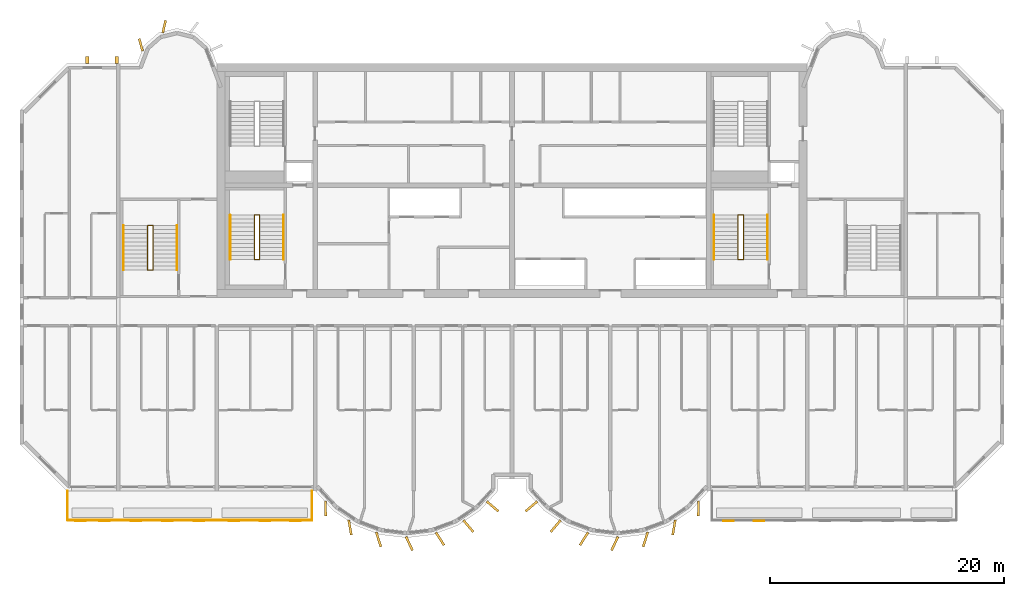
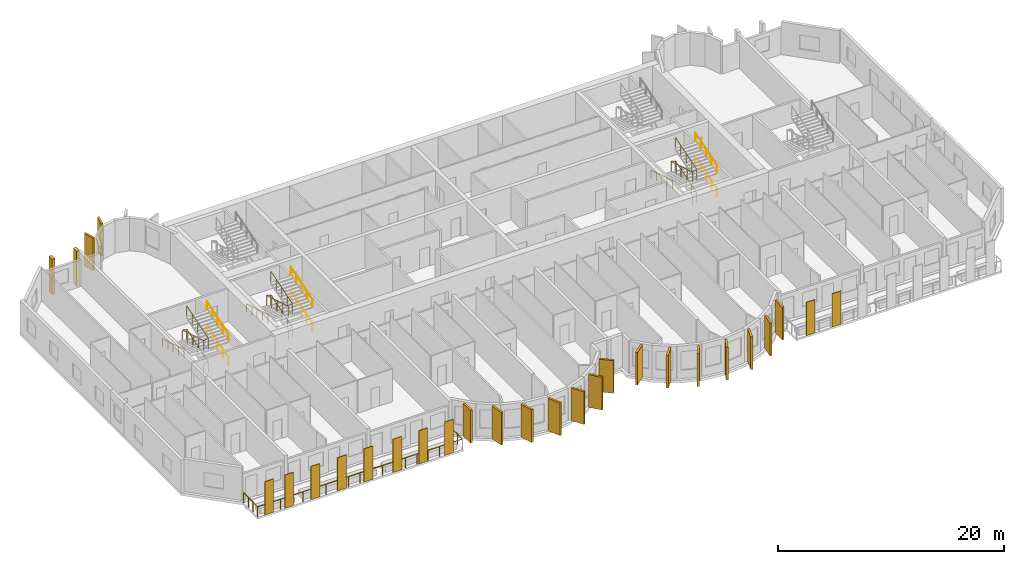
# One storey, part 11 of 13: 28 coverings, 13 railings.
"""IFC4 building model written with IfcOpenShell, lengths in metres."""

from ifc_helpers import new_model, si_unit, direction, frame, origin, origin_2d, place, context, subcontext, project, spatial, rectangle, circle, extrude, source, transform, mapped, material, layer, layer_set, material_profile, profile_set, type_object, element, save


model = new_model("IFC4")

# Units and contexts
model_context = context("Model", 3, precision=1e-05, world=origin(), true_north=direction((0.0, 1.0)))
body_context = subcontext(model_context, "Body", "Model", "MODEL_VIEW")
ifc_project = project(units=[si_unit("LENGTHUNIT", "METRE"), si_unit("AREAUNIT", "SQUARE_METRE"), si_unit("VOLUMEUNIT", "CUBIC_METRE"), si_unit("PLANEANGLEUNIT", "RADIAN"), si_unit("MASSUNIT", "GRAM", prefix="KILO")], contexts=[model_context])

# Site, building, storey
site_placement = place(None, origin())
site = spatial("IfcSite", under=ifc_project, at=site_placement, CompositionType="ELEMENT")
building_placement = place(site_placement, origin())
building = spatial("IfcBuilding", under=site, at=building_placement, Name="Vanashikhar Sky Hotel", CompositionType="ELEMENT")
storey_placement = place(building_placement, frame((0.0, 0.0, 178.199951171875)))
storey = spatial("IfcBuildingStorey", under=building, at=storey_placement, Name="L43", CompositionType="ELEMENT", Elevation=178.199951171875)

# Coverings
ifc_material_1 = material(Name="Terracotta", Category="masonry")
ifc_layer = layer(ifc_material_1, 0.06005859375)
ifc_layer_set = layer_set([ifc_layer], Name="Terracotta baguette screen")
covering_type_1 = type_object("IfcCoveringType", Name="Terracotta baguette screen", PredefinedType="CLADDING", material=ifc_layer_set)
shared_shape_1 = source(origin(), body_context, "Body", "SweptSolid", [
    extrude(rectangle(XDim=0.89990234375, YDim=0.06005859375, at=origin_2d()), origin(), (0.0, 0.0, 1.0), 3.60009765625),
])
for number, where, z_axis, x_axis, name in (
    (1, (13.574951171875, 2.929931640625, -0.050048828125), (0.0, 0.0, 1.0), (1.0, 0.0, 0.0), "Terracotta screen"),
    (2, (15.625, 2.929931640625, -0.050048828125), (0.0, 0.0, 1.0), (1.0, 0.0, 0.0), "Terracotta screen"),
    (3, (18.300048828125, 2.929931640625, -0.050048828125), (0.0, 0.0, 1.0), (1.0, 0.0, 0.0), "Terracotta screen"),
    (4, (21.0, 2.929931640625, -0.050048828125), (0.0, 0.0, 1.0), (1.0, 0.0, 0.0), "Terracotta screen"),
    (5, (23.699951171875, 2.929931640625, -0.050048828125), (0.0, 0.0, 1.0), (1.0, 0.0, 0.0), "Terracotta screen"),
    (6, (26.666748046875, 2.929931640625, -0.050048828125), (0.0, 0.0, 1.0), (1.0, 0.0, 0.0), "Terracotta screen"),
    (7, (29.300048828125, 2.929931640625, -0.050048828125), (0.0, 0.0, 1.0), (1.0, 0.0, 0.0), "Terracotta screen"),
    (8, (31.933349609375, 2.929931640625, -0.050048828125), (0.0, 0.0, 1.0), (1.0, 0.0, 0.0), "Terracotta screen"),
    (9, (68.86669921875, 2.929931640625, -0.050048828125), (0.0, 0.0, 1.0), (1.0, 0.0, 0.0), "Terracotta screen"),
    (10, (71.5, 2.929931640625, -0.050048828125), (0.0, 0.0, 1.0), (1.0, 0.0, 0.0), "Terracotta screen"),
):
    element("IfcCovering", number, at=place(storey_placement, frame(where, z_axis=z_axis, x_axis=x_axis)), inside=storey, type_object=covering_type_1, Name=name, PredefinedType="CLADDING", context=body_context, shape_type="MappedRepresentation", body=[
        mapped(shared_shape_1, transform((0.0, 0.0, 0.0), scale=1.0)),
    ])
ifc_material_2 = material(Name="Concrete M60 dark", Category="concrete")
ifc_material_profile_1 = material_profile(ifc_material_2, rectangle(XDim=1.300048828125, YDim=0.199951171875, at=origin_2d()))
ifc_profile_set_1 = profile_set([ifc_material_profile_1], Name="Fin 1300 x 200")
covering_type_2 = type_object("IfcCoveringType", Name="Fin 1300 x 200", PredefinedType="CLADDING", material=ifc_profile_set_1)
shared_shape_2 = source(origin(), body_context, "Body", "SweptSolid", [
    extrude(rectangle(XDim=1.300048828125, YDim=0.199951171875, at=origin_2d()), origin(), (0.0, 0.0, 1.0), 3.52001953125),
])
for number, where, z_axis, x_axis, name in (
    (11, (34.482421875, 3.992919921875, 0.0), (0.0, 0.0, 1.0), (0.011588726826, -0.999932848451, 0.0), "Fin F1-1"),
    (12, (36.572509765625, 2.3779296875, 0.0), (0.0, 0.0, 1.0), (0.16989991575, -0.985461322746, 0.0), "Fin F1-2"),
    (13, (39.00830078125, 1.35693359375, 0.0), (0.0, 0.0, 1.0), (0.303966551867, -0.952682704444, 0.0), "Fin F1-3"),
    (14, (41.63232421875, 1.00146484375, 0.0), (0.0, 0.0, 1.0), (0.422618261741, -0.906307787037, 0.0), "Fin F1-4"),
    (15, (44.251953125, 1.416015625, 0.0), (0.0, 0.0, 1.0), (0.534411358496, -0.845224526331, 0.0), "Fin F1-5"),
    (16, (46.676025390625, 2.5, 0.0), (0.0, 0.0, 1.0), (0.645697609467, -0.763593214433, 0.0), "Fin F1-6"),
    (17, (48.7412109375, 4.1845703125, 0.0), (0.0, 0.0, 1.0), (0.758543912032, -0.65162192529, 0.0), "Fin F1-7"),
    (18, (52.058837890625, 4.1845703125, 0.0), (0.0, 0.0, 1.0), (-0.758543912032, -0.65162192529, 0.0), "Fin F2-1"),
    (19, (54.123779296875, 2.5, 0.0), (0.0, 0.0, 1.0), (-0.645697609467, -0.763593214433, 0.0), "Fin F2-2"),
    (20, (56.547119140625, 1.416015625, 0.0), (0.0, 0.0, 1.0), (-0.534411358496, -0.845224526331, 0.0), "Fin F2-3"),
    (21, (59.16748046875, 1.00146484375, 0.0), (0.0, 0.0, 1.0), (-0.422618261741, -0.906307787037, 0.0), "Fin F2-4"),
    (22, (61.790771484375, 1.35693359375, 0.0), (0.0, 0.0, 1.0), (-0.303966551867, -0.952682704444, 0.0), "Fin F2-5"),
    (23, (64.2275390625, 2.3779296875, 0.0), (0.0, 0.0, 1.0), (-0.16989991575, -0.985461322746, 0.0), "Fin F2-6"),
    (24, (66.317626953125, 3.992919921875, 0.0), (0.0, 0.0, 1.0), (-0.011588726826, -0.999932848451, 0.0), "Fin F2-7"),
):
    element("IfcCovering", number, at=place(storey_placement, frame(where, z_axis=z_axis, x_axis=x_axis)), inside=storey, type_object=covering_type_2, Name=name, PredefinedType="CLADDING", context=body_context, shape_type="MappedRepresentation", body=[
        mapped(shared_shape_2, transform((0.0, 0.0, 0.0), scale=1.0)),
    ])
ifc_material_profile_2 = material_profile(ifc_material_2, rectangle(XDim=1.10009765625, YDim=0.199951171875, at=origin_2d()))
ifc_profile_set_2 = profile_set([ifc_material_profile_2], Name="Rear lobe fin 1100 x 200")
covering_type_3 = type_object("IfcCoveringType", Name="Rear lobe fin 1100 x 200", PredefinedType="CLADDING", material=ifc_profile_set_2)
shared_shape_3 = source(origin(), body_context, "Body", "SweptSolid", [
    extrude(rectangle(XDim=1.10009765625, YDim=0.199951171875, at=origin_2d()), origin(), (0.0, 0.0, 1.0), 3.52001953125),
])
for number, where, z_axis, x_axis, name in (
    (25, (18.720703125, 43.580078125, 0.0), (0.0, 0.0, 1.0), (-0.262711264409, 0.964874495234, 0.0), "Fin R1-1"),
    (26, (20.710205078125, 45.1455078125, 0.0), (0.0, 0.0, 1.0), (0.224644935864, 0.974440687159, 0.0), "Fin R1-2"),
):
    element("IfcCovering", number, at=place(storey_placement, frame(where, z_axis=z_axis, x_axis=x_axis)), inside=storey, type_object=covering_type_3, Name=name, PredefinedType="CLADDING", context=body_context, shape_type="MappedRepresentation", body=[
        mapped(shared_shape_3, transform((0.0, 0.0, 0.0), scale=1.0)),
    ])

# Railing
ifc_material_3 = material(Name="Stainless steel 316", Category="steel")
railing_type_1 = type_object("IfcRailingType", Name="Balcony guard 1100", PredefinedType="GUARDRAIL", material=ifc_material_3)
shared_shape_4 = source(origin(), body_context, "Body", "SweptSolid", [
    extrude(circle(Radius=0.02392578125, at=origin_2d()), frame((0.0, 0.0, 1.076171875), z_axis=(0.0, -1.0, 0.0), x_axis=(1.0, 0.0, 0.0)), (0.0, 0.0, 1.0), 2.5),
    extrude(circle(Radius=0.02392578125, at=origin_2d()), frame((0.0, -2.5, 1.076171875), z_axis=(1.0, 0.0, 0.0), x_axis=(0.0, 1.0, 0.0)), (0.0, 0.0, 1.0), 20.880126953125),
    extrude(circle(Radius=0.02392578125, at=origin_2d()), frame((20.880126953125, -2.5, 1.076171875), z_axis=(0.0, 1.0, 0.0), x_axis=(-1.0, 0.0, 0.0)), (0.0, 0.0, 1.0), 2.5),
    extrude(circle(Radius=0.02099609375, at=origin_2d()), origin(), (0.0, 0.0, 1.0), 1.052001953125),
    extrude(circle(Radius=0.02099609375, at=origin_2d()), frame((0.0, -0.833251953125, 0.0)), (0.0, 0.0, 1.0), 1.052001953125),
    extrude(circle(Radius=0.02099609375, at=origin_2d()), frame((0.0, -1.666748046875, 0.0)), (0.0, 0.0, 1.0), 1.052001953125),
    extrude(circle(Radius=0.02099609375, at=origin_2d()), frame((0.0, -2.5, 0.0)), (0.0, 0.0, 1.0), 1.052001953125),
    extrude(circle(Radius=0.02099609375, at=origin_2d()), frame((1.159912109375, -2.5, 0.0)), (0.0, 0.0, 1.0), 1.052001953125),
    extrude(circle(Radius=0.02099609375, at=origin_2d()), frame((2.320068359375, -2.5, 0.0)), (0.0, 0.0, 1.0), 1.052001953125),
    extrude(circle(Radius=0.02099609375, at=origin_2d()), frame((3.47998046875, -2.5, 0.0)), (0.0, 0.0, 1.0), 1.052001953125),
    extrude(circle(Radius=0.02099609375, at=origin_2d()), frame((4.64013671875, -2.5, 0.0)), (0.0, 0.0, 1.0), 1.052001953125),
    extrude(circle(Radius=0.02099609375, at=origin_2d()), frame((5.800048828125, -2.5, 0.0)), (0.0, 0.0, 1.0), 1.052001953125),
    extrude(circle(Radius=0.02099609375, at=origin_2d()), frame((6.9599609375, -2.5, 0.0)), (0.0, 0.0, 1.0), 1.052001953125),
    extrude(circle(Radius=0.02099609375, at=origin_2d()), frame((8.1201171875, -2.5, 0.0)), (0.0, 0.0, 1.0), 1.052001953125),
    extrude(circle(Radius=0.02099609375, at=origin_2d()), frame((9.280029296875, -2.5, 0.0)), (0.0, 0.0, 1.0), 1.052001953125),
    extrude(circle(Radius=0.02099609375, at=origin_2d()), frame((10.43994140625, -2.5, 0.0)), (0.0, 0.0, 1.0), 1.052001953125),
    extrude(circle(Radius=0.02099609375, at=origin_2d()), frame((11.60009765625, -2.5, 0.0)), (0.0, 0.0, 1.0), 1.052001953125),
    extrude(circle(Radius=0.02099609375, at=origin_2d()), frame((12.760009765625, -2.5, 0.0)), (0.0, 0.0, 1.0), 1.052001953125),
    extrude(circle(Radius=0.02099609375, at=origin_2d()), frame((13.920166015625, -2.5, 0.0)), (0.0, 0.0, 1.0), 1.052001953125),
    extrude(circle(Radius=0.02099609375, at=origin_2d()), frame((15.080078125, -2.5, 0.0)), (0.0, 0.0, 1.0), 1.052001953125),
    extrude(circle(Radius=0.02099609375, at=origin_2d()), frame((16.239990234375, -2.5, 0.0)), (0.0, 0.0, 1.0), 1.052001953125),
    extrude(circle(Radius=0.02099609375, at=origin_2d()), frame((17.400146484375, -2.5, 0.0)), (0.0, 0.0, 1.0), 1.052001953125),
    extrude(circle(Radius=0.02099609375, at=origin_2d()), frame((18.56005859375, -2.5, 0.0)), (0.0, 0.0, 1.0), 1.052001953125),
    extrude(circle(Radius=0.02099609375, at=origin_2d()), frame((19.72021484375, -2.5, 0.0)), (0.0, 0.0, 1.0), 1.052001953125),
    extrude(circle(Radius=0.02099609375, at=origin_2d()), frame((20.880126953125, -2.5, 0.0)), (0.0, 0.0, 1.0), 1.052001953125),
    extrude(circle(Radius=0.02099609375, at=origin_2d()), frame((20.880126953125, -1.666748046875, 0.0)), (0.0, 0.0, 1.0), 1.052001953125),
    extrude(circle(Radius=0.02099609375, at=origin_2d()), frame((20.880126953125, -0.833251953125, 0.0)), (0.0, 0.0, 1.0), 1.052001953125),
    extrude(circle(Radius=0.02099609375, at=origin_2d()), frame((20.880126953125, 0.0, 0.0)), (0.0, 0.0, 1.0), 1.052001953125),
])
railing_1_placement = place(storey_placement, frame((12.4599609375, 5.5, -0.050048828125)))
element("IfcRailing", 27, at=railing_1_placement, inside=storey, type_object=railing_type_1, Name="Balcony guard", PredefinedType="GUARDRAIL", context=body_context, shape_type="MappedRepresentation", body=[
    mapped(shared_shape_4, transform((0.0, 0.0, 0.0), scale=1.0)),
])

# Coverings
ifc_material_profile_3 = material_profile(ifc_material_2, rectangle(XDim=0.60009765625, YDim=0.300048828125, at=origin_2d()))
ifc_profile_set_3 = profile_set([ifc_material_profile_3], Name="Rear rib 600 x 300")
covering_type_4 = type_object("IfcCoveringType", Name="Rear rib 600 x 300", PredefinedType="CLADDING", material=ifc_profile_set_3)
shared_shape_5 = source(origin(), body_context, "Body", "SweptSolid", [
    extrude(rectangle(XDim=0.60009765625, YDim=0.300048828125, at=origin_2d()), origin(), (0.0, 0.0, 1.0), 3.800048828125),
])
for number, where, z_axis, x_axis, name in (
    (28, (14.14990234375, 42.300048828125, -0.280029296875), (0.0, 0.0, 1.0), (0.0, 1.0, 0.0), "Rear rib"),
    (29, (16.64990234375, 42.300048828125, -0.280029296875), (0.0, 0.0, 1.0), (0.0, 1.0, 0.0), "Rear rib"),
):
    element("IfcCovering", number, at=place(storey_placement, frame(where, z_axis=z_axis, x_axis=x_axis)), inside=storey, type_object=covering_type_4, Name=name, PredefinedType="CLADDING", context=body_context, shape_type="MappedRepresentation", body=[
        mapped(shared_shape_5, transform((0.0, 0.0, 0.0), scale=1.0)),
    ])

# Railings
ifc_material_4 = material(Name="Steel S355", Category="steel")
railing_type_2 = type_object("IfcRailingType", Name="Stair handrail 900", PredefinedType="HANDRAIL", material=ifc_material_4)
shared_shape_6 = source(origin(), body_context, "Body", "SweptSolid", [
    extrude(circle(Radius=0.02392578125, at=origin_2d()), frame((0.0, 0.0, 0.8759765625), z_axis=(0.0, 0.95635109408, 0.292220096591), x_axis=(-1.0, 0.0, 0.0)), (0.0, 0.0, 1.0), 3.973388671875),
    extrude(circle(Radius=0.02099609375, at=origin_2d()), origin(), (0.0, 0.0, 1.0), 0.851806640625),
    extrude(circle(Radius=0.02099609375, at=origin_2d()), frame((0.0, 0.949951171875, 0.290283203125)), (0.0, 0.0, 1.0), 0.851806640625),
    extrude(circle(Radius=0.02099609375, at=origin_2d()), frame((0.0, 1.89990234375, 0.58056640625)), (0.0, 0.0, 1.0), 0.851806640625),
    extrude(circle(Radius=0.02099609375, at=origin_2d()), frame((0.0, 2.85009765625, 0.870849609375)), (0.0, 0.0, 1.0), 0.851806640625),
    extrude(circle(Radius=0.02099609375, at=origin_2d()), frame((0.0, 3.800048828125, 1.1611328125)), (0.0, 0.0, 1.0), 0.851806640625),
])
for number, where, name in (
    (30, (30.89990234375, 25.25, 2.638916015625), "Exit stair 1 handrail"),
    (31, (72.199951171875, 25.25, 2.638916015625), "Exit stair 2 handrail"),
):
    element("IfcRailing", number, at=place(storey_placement, frame(where)), inside=storey, type_object=railing_type_2, Name=name, PredefinedType="HANDRAIL", context=body_context, shape_type="MappedRepresentation", body=[
        mapped(shared_shape_6, transform((0.0, 0.0, 0.0), scale=1.0)),
    ])
shared_shape_7 = source(origin(), body_context, "Body", "SweptSolid", [
    extrude(circle(Radius=0.02392578125, at=origin_2d()), frame((0.0, 0.0, 0.8759765625), z_axis=(0.0, -0.95635109408, 0.292220096591), x_axis=(1.0, 0.0, 0.0)), (0.0, 0.0, 1.0), 3.973388671875),
    extrude(circle(Radius=0.02099609375, at=origin_2d()), origin(), (0.0, 0.0, 1.0), 0.851806640625),
    extrude(circle(Radius=0.02099609375, at=origin_2d()), frame((0.0, -0.949951171875, 0.290283203125)), (0.0, 0.0, 1.0), 0.851806640625),
    extrude(circle(Radius=0.02099609375, at=origin_2d()), frame((0.0, -1.89990234375, 0.58056640625)), (0.0, 0.0, 1.0), 0.851806640625),
    extrude(circle(Radius=0.02099609375, at=origin_2d()), frame((0.0, -2.85009765625, 0.870849609375)), (0.0, 0.0, 1.0), 0.851806640625),
    extrude(circle(Radius=0.02099609375, at=origin_2d()), frame((0.0, -3.800048828125, 1.1611328125)), (0.0, 0.0, 1.0), 0.851806640625),
])
for number, where, name in (
    (32, (26.35009765625, 29.050048828125, 1.372314453125), "Exit stair 1 handrail"),
    (33, (67.64990234375, 29.050048828125, 1.372314453125), "Exit stair 2 handrail"),
):
    element("IfcRailing", number, at=place(storey_placement, frame(where)), inside=storey, type_object=railing_type_2, Name=name, PredefinedType="HANDRAIL", context=body_context, shape_type="MappedRepresentation", body=[
        mapped(shared_shape_7, transform((0.0, 0.0, 0.0), scale=1.0)),
    ])
railing_type_3 = type_object("IfcRailingType", Name="Stair guard 1100", PredefinedType="GUARDRAIL", material=ifc_material_4)
shared_shape_8 = source(origin(), body_context, "Body", "SweptSolid", [
    extrude(circle(Radius=0.02392578125, at=origin_2d()), frame((0.0, 0.0, 1.076171875), z_axis=(0.973520925263, 0.0, 0.228597917917), x_axis=(0.0, 1.0, 0.0)), (0.0, 0.0, 1.0), 0.46240234375),
    extrude(circle(Radius=0.02392578125, at=origin_2d()), frame((0.4501953125, 0.0, 1.181640625), z_axis=(0.0, 0.956368263741, 0.292163899395), x_axis=(-1.0, 0.0, 0.0)), (0.0, 0.0, 1.0), 3.973388671875),
    extrude(circle(Radius=0.02392578125, at=origin_2d()), frame((0.4501953125, 3.800048828125, 2.3427734375), z_axis=(-0.973520925263, 0.0, 0.228597917917), x_axis=(0.0, -1.0, 0.0)), (0.0, 0.0, 1.0), 0.46240234375),
    extrude(circle(Radius=0.02392578125, at=origin_2d()), frame((0.0, 3.800048828125, 2.4482421875), z_axis=(0.0, -0.95635109408, 0.292220096591), x_axis=(1.0, 0.0, 0.0)), (0.0, 0.0, 1.0), 3.973388671875),
    extrude(circle(Radius=0.02392578125, at=origin_2d()), frame((0.0, 0.0, 3.609375), z_axis=(0.973638301096, 0.0, 0.228097476179), x_axis=(0.0, 1.0, 0.0)), (0.0, 0.0, 1.0), 0.46240234375),
    extrude(circle(Radius=0.02392578125, at=origin_2d()), frame((0.4501953125, 0.0, 3.71484375), z_axis=(0.0, 0.95635109408, 0.292220096591), x_axis=(-1.0, 0.0, 0.0)), (0.0, 0.0, 1.0), 3.973388671875),
    extrude(circle(Radius=0.02099609375, at=origin_2d()), origin(), (0.0, 0.0, 1.0), 1.052001953125),
    extrude(circle(Radius=0.02099609375, at=origin_2d()), frame((0.4501953125, 0.0, 0.105712890625)), (0.0, 0.0, 1.0), 1.052001953125),
    extrude(circle(Radius=0.02099609375, at=origin_2d()), frame((0.4501953125, 0.949951171875, 0.39599609375)), (0.0, 0.0, 1.0), 1.052001953125),
    extrude(circle(Radius=0.02099609375, at=origin_2d()), frame((0.4501953125, 1.89990234375, 0.68603515625)), (0.0, 0.0, 1.0), 1.052001953125),
    extrude(circle(Radius=0.02099609375, at=origin_2d()), frame((0.4501953125, 2.85009765625, 0.976318359375)), (0.0, 0.0, 1.0), 1.052001953125),
    extrude(circle(Radius=0.02099609375, at=origin_2d()), frame((0.4501953125, 3.800048828125, 1.2666015625)), (0.0, 0.0, 1.0), 1.052001953125),
    extrude(circle(Radius=0.02099609375, at=origin_2d()), frame((0.0, 3.800048828125, 1.372314453125)), (0.0, 0.0, 1.0), 1.052001953125),
    extrude(circle(Radius=0.02099609375, at=origin_2d()), frame((0.0, 2.85009765625, 1.66259765625)), (0.0, 0.0, 1.0), 1.052001953125),
    extrude(circle(Radius=0.02099609375, at=origin_2d()), frame((0.0, 1.89990234375, 1.952880859375)), (0.0, 0.0, 1.0), 1.052001953125),
    extrude(circle(Radius=0.02099609375, at=origin_2d()), frame((0.0, 0.949951171875, 2.2431640625)), (0.0, 0.0, 1.0), 1.052001953125),
    extrude(circle(Radius=0.02099609375, at=origin_2d()), frame((0.0, 0.0, 2.533447265625)), (0.0, 0.0, 1.0), 1.052001953125),
    extrude(circle(Radius=0.02099609375, at=origin_2d()), frame((0.4501953125, 0.0, 2.638916015625)), (0.0, 0.0, 1.0), 1.052001953125),
    extrude(circle(Radius=0.02099609375, at=origin_2d()), frame((0.4501953125, 0.949951171875, 2.92919921875)), (0.0, 0.0, 1.0), 1.052001953125),
    extrude(circle(Radius=0.02099609375, at=origin_2d()), frame((0.4501953125, 1.89990234375, 3.219482421875)), (0.0, 0.0, 1.0), 1.052001953125),
    extrude(circle(Radius=0.02099609375, at=origin_2d()), frame((0.4501953125, 2.85009765625, 3.509765625)), (0.0, 0.0, 1.0), 1.052001953125),
    extrude(circle(Radius=0.02099609375, at=origin_2d()), frame((0.4501953125, 3.800048828125, 3.800048828125)), (0.0, 0.0, 1.0), 1.052001953125),
])
railing_2_placement = place(storey_placement, frame((28.39990234375, 25.25, 0.0)))
element("IfcRailing", 34, at=railing_2_placement, inside=storey, type_object=railing_type_3, Name="Exit stair 1 guard", PredefinedType="GUARDRAIL", context=body_context, shape_type="MappedRepresentation", body=[
    mapped(shared_shape_8, transform((0.0, 0.0, 0.0), scale=1.0)),
])
shared_shape_9 = source(origin(), body_context, "Body", "SweptSolid", [
    extrude(circle(Radius=0.02392578125, at=origin_2d()), frame((0.0, 0.0, 0.8759765625), z_axis=(0.0, 0.956368263741, 0.292163899395), x_axis=(-1.0, 0.0, 0.0)), (0.0, 0.0, 1.0), 3.973388671875),
    extrude(circle(Radius=0.02099609375, at=origin_2d()), origin(), (0.0, 0.0, 1.0), 0.851806640625),
    extrude(circle(Radius=0.02099609375, at=origin_2d()), frame((0.0, 0.949951171875, 0.290283203125)), (0.0, 0.0, 1.0), 0.851806640625),
    extrude(circle(Radius=0.02099609375, at=origin_2d()), frame((0.0, 1.89990234375, 0.58056640625)), (0.0, 0.0, 1.0), 0.851806640625),
    extrude(circle(Radius=0.02099609375, at=origin_2d()), frame((0.0, 2.85009765625, 0.87060546875)), (0.0, 0.0, 1.0), 0.851806640625),
    extrude(circle(Radius=0.02099609375, at=origin_2d()), frame((0.0, 3.800048828125, 1.160888671875)), (0.0, 0.0, 1.0), 0.851806640625),
])
for number, where, name in (
    (35, (30.89990234375, 25.25, 0.105712890625), "Exit stair 1 handrail"),
    (36, (72.199951171875, 25.25, 0.105712890625), "Exit stair 2 handrail"),
):
    element("IfcRailing", number, at=place(storey_placement, frame(where)), inside=storey, type_object=railing_type_2, Name=name, PredefinedType="HANDRAIL", context=body_context, shape_type="MappedRepresentation", body=[
        mapped(shared_shape_9, transform((0.0, 0.0, 0.0), scale=1.0)),
    ])
shared_shape_10 = source(origin(), body_context, "Body", "SweptSolid", [
    extrude(circle(Radius=0.02392578125, at=origin_2d()), frame((0.0, 0.0, 1.076171875), z_axis=(0.973493315427, 0.0, 0.228715466945), x_axis=(0.0, 1.0, 0.0)), (0.0, 0.0, 1.0), 0.462158203125),
    extrude(circle(Radius=0.02392578125, at=origin_2d()), frame((0.449951171875, 0.0, 1.181640625), z_axis=(0.0, 0.956368263741, 0.292163899395), x_axis=(-1.0, 0.0, 0.0)), (0.0, 0.0, 1.0), 3.973388671875),
    extrude(circle(Radius=0.02392578125, at=origin_2d()), frame((0.449951171875, 3.800048828125, 2.3427734375), z_axis=(-0.973493315427, 0.0, 0.228715466945), x_axis=(0.0, -1.0, 0.0)), (0.0, 0.0, 1.0), 0.462158203125),
    extrude(circle(Radius=0.02392578125, at=origin_2d()), frame((0.0, 3.800048828125, 2.4482421875), z_axis=(0.0, -0.95635109408, 0.292220096591), x_axis=(1.0, 0.0, 0.0)), (0.0, 0.0, 1.0), 3.973388671875),
    extrude(circle(Radius=0.02392578125, at=origin_2d()), frame((0.0, 0.0, 3.609375), z_axis=(0.973610808694, 0.0, 0.228214796178), x_axis=(0.0, 1.0, 0.0)), (0.0, 0.0, 1.0), 0.462158203125),
    extrude(circle(Radius=0.02392578125, at=origin_2d()), frame((0.449951171875, 0.0, 3.71484375), z_axis=(0.0, 0.95635109408, 0.292220096591), x_axis=(-1.0, 0.0, 0.0)), (0.0, 0.0, 1.0), 3.973388671875),
    extrude(circle(Radius=0.02099609375, at=origin_2d()), origin(), (0.0, 0.0, 1.0), 1.052001953125),
    extrude(circle(Radius=0.02099609375, at=origin_2d()), frame((0.449951171875, 0.0, 0.105712890625)), (0.0, 0.0, 1.0), 1.052001953125),
    extrude(circle(Radius=0.02099609375, at=origin_2d()), frame((0.449951171875, 0.949951171875, 0.39599609375)), (0.0, 0.0, 1.0), 1.052001953125),
    extrude(circle(Radius=0.02099609375, at=origin_2d()), frame((0.449951171875, 1.89990234375, 0.68603515625)), (0.0, 0.0, 1.0), 1.052001953125),
    extrude(circle(Radius=0.02099609375, at=origin_2d()), frame((0.449951171875, 2.85009765625, 0.976318359375)), (0.0, 0.0, 1.0), 1.052001953125),
    extrude(circle(Radius=0.02099609375, at=origin_2d()), frame((0.449951171875, 3.800048828125, 1.2666015625)), (0.0, 0.0, 1.0), 1.052001953125),
    extrude(circle(Radius=0.02099609375, at=origin_2d()), frame((0.0, 3.800048828125, 1.372314453125)), (0.0, 0.0, 1.0), 1.052001953125),
    extrude(circle(Radius=0.02099609375, at=origin_2d()), frame((0.0, 2.85009765625, 1.66259765625)), (0.0, 0.0, 1.0), 1.052001953125),
    extrude(circle(Radius=0.02099609375, at=origin_2d()), frame((0.0, 1.89990234375, 1.952880859375)), (0.0, 0.0, 1.0), 1.052001953125),
    extrude(circle(Radius=0.02099609375, at=origin_2d()), frame((0.0, 0.949951171875, 2.2431640625)), (0.0, 0.0, 1.0), 1.052001953125),
    extrude(circle(Radius=0.02099609375, at=origin_2d()), frame((0.0, 0.0, 2.533447265625)), (0.0, 0.0, 1.0), 1.052001953125),
    extrude(circle(Radius=0.02099609375, at=origin_2d()), frame((0.449951171875, 0.0, 2.638916015625)), (0.0, 0.0, 1.0), 1.052001953125),
    extrude(circle(Radius=0.02099609375, at=origin_2d()), frame((0.449951171875, 0.949951171875, 2.92919921875)), (0.0, 0.0, 1.0), 1.052001953125),
    extrude(circle(Radius=0.02099609375, at=origin_2d()), frame((0.449951171875, 1.89990234375, 3.219482421875)), (0.0, 0.0, 1.0), 1.052001953125),
    extrude(circle(Radius=0.02099609375, at=origin_2d()), frame((0.449951171875, 2.85009765625, 3.509765625)), (0.0, 0.0, 1.0), 1.052001953125),
    extrude(circle(Radius=0.02099609375, at=origin_2d()), frame((0.449951171875, 3.800048828125, 3.800048828125)), (0.0, 0.0, 1.0), 1.052001953125),
])
railing_3_placement = place(storey_placement, frame((69.699951171875, 25.25, 0.0)))
element("IfcRailing", 37, at=railing_3_placement, inside=storey, type_object=railing_type_3, Name="Exit stair 2 guard", PredefinedType="GUARDRAIL", context=body_context, shape_type="MappedRepresentation", body=[
    mapped(shared_shape_10, transform((0.0, 0.0, 0.0), scale=1.0)),
])
shared_shape_11 = source(origin(), body_context, "Body", "SweptSolid", [
    extrude(circle(Radius=0.02392578125, at=origin_2d()), frame((0.0, 0.0, 0.8759765625), z_axis=(0.0, 0.956345846891, 0.292237268557), x_axis=(-1.0, 0.0, 0.0)), (0.0, 0.0, 1.0), 3.97314453125),
    extrude(circle(Radius=0.02099609375, at=origin_2d()), origin(), (0.0, 0.0, 1.0), 0.851806640625),
    extrude(circle(Radius=0.02099609375, at=origin_2d()), frame((0.0, 0.949951171875, 0.290283203125)), (0.0, 0.0, 1.0), 0.851806640625),
    extrude(circle(Radius=0.02099609375, at=origin_2d()), frame((0.0, 1.89990234375, 0.58056640625)), (0.0, 0.0, 1.0), 0.851806640625),
    extrude(circle(Radius=0.02099609375, at=origin_2d()), frame((0.0, 2.849853515625, 0.870849609375)), (0.0, 0.0, 1.0), 0.851806640625),
    extrude(circle(Radius=0.02099609375, at=origin_2d()), frame((0.0, 3.7998046875, 1.1611328125)), (0.0, 0.0, 1.0), 0.851806640625),
])
railing_4_placement = place(storey_placement, frame((21.800048828125, 24.35009765625, 2.638916015625)))
element("IfcRailing", 38, at=railing_4_placement, inside=storey, type_object=railing_type_2, Name="Exit stair 3 handrail", PredefinedType="HANDRAIL", context=body_context, shape_type="MappedRepresentation", body=[
    mapped(shared_shape_11, transform((0.0, 0.0, 0.0), scale=1.0)),
])
shared_shape_12 = source(origin(), body_context, "Body", "SweptSolid", [
    extrude(circle(Radius=0.02392578125, at=origin_2d()), frame((0.0, 0.0, 0.8759765625), z_axis=(0.0, -0.956345846891, 0.292237268557), x_axis=(1.0, 0.0, 0.0)), (0.0, 0.0, 1.0), 3.97314453125),
    extrude(circle(Radius=0.02099609375, at=origin_2d()), origin(), (0.0, 0.0, 1.0), 0.851806640625),
    extrude(circle(Radius=0.02099609375, at=origin_2d()), frame((0.0, -0.949951171875, 0.290283203125)), (0.0, 0.0, 1.0), 0.851806640625),
    extrude(circle(Radius=0.02099609375, at=origin_2d()), frame((0.0, -1.89990234375, 0.58056640625)), (0.0, 0.0, 1.0), 0.851806640625),
    extrude(circle(Radius=0.02099609375, at=origin_2d()), frame((0.0, -2.849853515625, 0.870849609375)), (0.0, 0.0, 1.0), 0.851806640625),
    extrude(circle(Radius=0.02099609375, at=origin_2d()), frame((0.0, -3.7998046875, 1.1611328125)), (0.0, 0.0, 1.0), 0.851806640625),
])
railing_5_placement = place(storey_placement, frame((17.25, 28.14990234375, 1.372314453125)))
element("IfcRailing", 39, at=railing_5_placement, inside=storey, type_object=railing_type_2, Name="Exit stair 3 handrail", PredefinedType="HANDRAIL", context=body_context, shape_type="MappedRepresentation", body=[
    mapped(shared_shape_12, transform((0.0, 0.0, 0.0), scale=1.0)),
])
shared_shape_13 = source(origin(), body_context, "Body", "SweptSolid", [
    extrude(circle(Radius=0.02392578125, at=origin_2d()), frame((0.0, 0.0, 1.076171875), z_axis=(0.973493315427, 0.0, 0.228715466945), x_axis=(0.0, 1.0, 0.0)), (0.0, 0.0, 1.0), 0.462158203125),
    extrude(circle(Radius=0.02392578125, at=origin_2d()), frame((0.449951171875, 0.0, 1.181640625), z_axis=(0.0, 0.956363018476, 0.292181068675), x_axis=(-1.0, 0.0, 0.0)), (0.0, 0.0, 1.0), 3.97314453125),
    extrude(circle(Radius=0.02392578125, at=origin_2d()), frame((0.449951171875, 3.7998046875, 2.3427734375), z_axis=(-0.973493315427, 0.0, 0.228715466945), x_axis=(0.0, -1.0, 0.0)), (0.0, 0.0, 1.0), 0.462158203125),
    extrude(circle(Radius=0.02392578125, at=origin_2d()), frame((0.0, 3.7998046875, 2.4482421875), z_axis=(0.0, -0.956345846891, 0.292237268557), x_axis=(1.0, 0.0, 0.0)), (0.0, 0.0, 1.0), 3.97314453125),
    extrude(circle(Radius=0.02392578125, at=origin_2d()), frame((0.0, 0.0, 3.609375), z_axis=(0.973610808694, 0.0, 0.228214796178), x_axis=(0.0, 1.0, 0.0)), (0.0, 0.0, 1.0), 0.462158203125),
    extrude(circle(Radius=0.02392578125, at=origin_2d()), frame((0.449951171875, 0.0, 3.71484375), z_axis=(0.0, 0.956345846891, 0.292237268557), x_axis=(-1.0, 0.0, 0.0)), (0.0, 0.0, 1.0), 3.97314453125),
    extrude(circle(Radius=0.02099609375, at=origin_2d()), origin(), (0.0, 0.0, 1.0), 1.052001953125),
    extrude(circle(Radius=0.02099609375, at=origin_2d()), frame((0.449951171875, 0.0, 0.105712890625)), (0.0, 0.0, 1.0), 1.052001953125),
    extrude(circle(Radius=0.02099609375, at=origin_2d()), frame((0.449951171875, 0.949951171875, 0.39599609375)), (0.0, 0.0, 1.0), 1.052001953125),
    extrude(circle(Radius=0.02099609375, at=origin_2d()), frame((0.449951171875, 1.89990234375, 0.68603515625)), (0.0, 0.0, 1.0), 1.052001953125),
    extrude(circle(Radius=0.02099609375, at=origin_2d()), frame((0.449951171875, 2.849853515625, 0.976318359375)), (0.0, 0.0, 1.0), 1.052001953125),
    extrude(circle(Radius=0.02099609375, at=origin_2d()), frame((0.449951171875, 3.7998046875, 1.2666015625)), (0.0, 0.0, 1.0), 1.052001953125),
    extrude(circle(Radius=0.02099609375, at=origin_2d()), frame((0.0, 3.7998046875, 1.372314453125)), (0.0, 0.0, 1.0), 1.052001953125),
    extrude(circle(Radius=0.02099609375, at=origin_2d()), frame((0.0, 2.849853515625, 1.66259765625)), (0.0, 0.0, 1.0), 1.052001953125),
    extrude(circle(Radius=0.02099609375, at=origin_2d()), frame((0.0, 1.89990234375, 1.952880859375)), (0.0, 0.0, 1.0), 1.052001953125),
    extrude(circle(Radius=0.02099609375, at=origin_2d()), frame((0.0, 0.949951171875, 2.2431640625)), (0.0, 0.0, 1.0), 1.052001953125),
    extrude(circle(Radius=0.02099609375, at=origin_2d()), frame((0.0, 0.0, 2.533447265625)), (0.0, 0.0, 1.0), 1.052001953125),
    extrude(circle(Radius=0.02099609375, at=origin_2d()), frame((0.449951171875, 0.0, 2.638916015625)), (0.0, 0.0, 1.0), 1.052001953125),
    extrude(circle(Radius=0.02099609375, at=origin_2d()), frame((0.449951171875, 0.949951171875, 2.92919921875)), (0.0, 0.0, 1.0), 1.052001953125),
    extrude(circle(Radius=0.02099609375, at=origin_2d()), frame((0.449951171875, 1.89990234375, 3.219482421875)), (0.0, 0.0, 1.0), 1.052001953125),
    extrude(circle(Radius=0.02099609375, at=origin_2d()), frame((0.449951171875, 2.849853515625, 3.509765625)), (0.0, 0.0, 1.0), 1.052001953125),
    extrude(circle(Radius=0.02099609375, at=origin_2d()), frame((0.449951171875, 3.7998046875, 3.800048828125)), (0.0, 0.0, 1.0), 1.052001953125),
])
railing_6_placement = place(storey_placement, frame((19.300048828125, 24.35009765625, 0.0)))
element("IfcRailing", 40, at=railing_6_placement, inside=storey, type_object=railing_type_3, Name="Exit stair 3 guard", PredefinedType="GUARDRAIL", context=body_context, shape_type="MappedRepresentation", body=[
    mapped(shared_shape_13, transform((0.0, 0.0, 0.0), scale=1.0)),
])
shared_shape_14 = source(origin(), body_context, "Body", "SweptSolid", [
    extrude(circle(Radius=0.02392578125, at=origin_2d()), frame((0.0, 0.0, 0.8759765625), z_axis=(0.0, 0.956363018476, 0.292181068675), x_axis=(-1.0, 0.0, 0.0)), (0.0, 0.0, 1.0), 3.97314453125),
    extrude(circle(Radius=0.02099609375, at=origin_2d()), origin(), (0.0, 0.0, 1.0), 0.851806640625),
    extrude(circle(Radius=0.02099609375, at=origin_2d()), frame((0.0, 0.949951171875, 0.290283203125)), (0.0, 0.0, 1.0), 0.851806640625),
    extrude(circle(Radius=0.02099609375, at=origin_2d()), frame((0.0, 1.89990234375, 0.58056640625)), (0.0, 0.0, 1.0), 0.851806640625),
    extrude(circle(Radius=0.02099609375, at=origin_2d()), frame((0.0, 2.849853515625, 0.87060546875)), (0.0, 0.0, 1.0), 0.851806640625),
    extrude(circle(Radius=0.02099609375, at=origin_2d()), frame((0.0, 3.7998046875, 1.160888671875)), (0.0, 0.0, 1.0), 0.851806640625),
])
railing_7_placement = place(storey_placement, frame((21.800048828125, 24.35009765625, 0.105712890625)))
element("IfcRailing", 41, at=railing_7_placement, inside=storey, type_object=railing_type_2, Name="Exit stair 3 handrail", PredefinedType="HANDRAIL", context=body_context, shape_type="MappedRepresentation", body=[
    mapped(shared_shape_14, transform((0.0, 0.0, 0.0), scale=1.0)),
])

save(model, "model.ifc")
